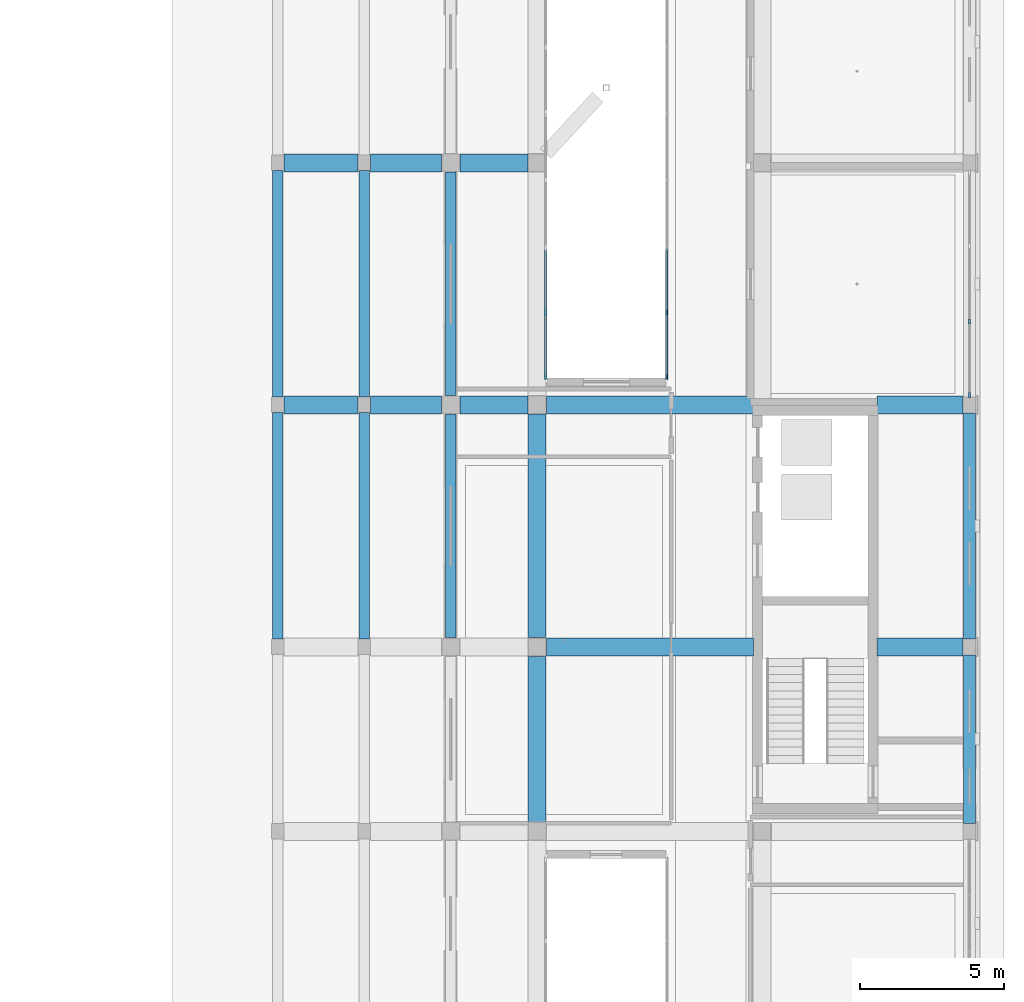
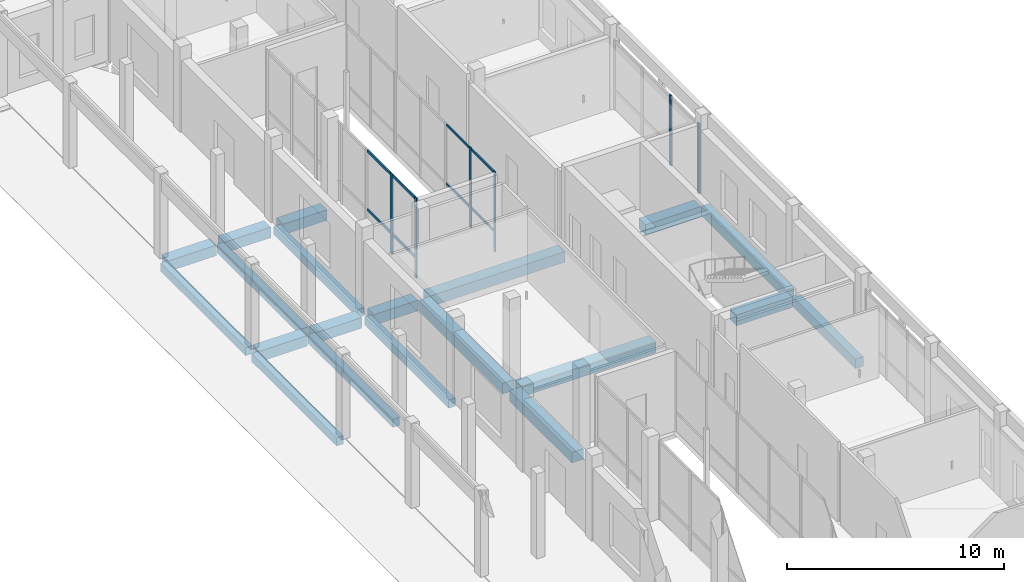
# One storey, part 35 of 88: 20 beams, 10 members, 3 elements without a shape of their own.
"""IFC4 building model written with IfcOpenShell, lengths in metres."""

from ifc_helpers import new_model, si_unit, derived_unit, direction, frame, origin, origin_2d, place, context, subcontext, project, spatial, rectangle, extrude, material, material_profile, profile_set, type_object, element, aggregate, save


model = new_model("IFC4")

# Units and contexts
model_context = context("Model", 3, precision=1e-05, world=origin(), true_north=direction((0.0, 1.0)))
body_context = subcontext(model_context, "Body", "Model", "MODEL_VIEW")
ifc_project = project(units=[si_unit("LENGTHUNIT", "METRE"), si_unit("AREAUNIT", "SQUARE_METRE"), si_unit("VOLUMEUNIT", "CUBIC_METRE"), si_unit("PLANEANGLEUNIT", "RADIAN"), si_unit("MASSUNIT", "GRAM", prefix="KILO"), derived_unit("THERMALTRANSMITTANCEUNIT", [(si_unit("POWERUNIT", "WATT"), 1), (si_unit("LENGTHUNIT", "METRE"), -2), (si_unit("THERMODYNAMICTEMPERATUREUNIT", "KELVIN"), -1)])], contexts=[model_context])

# Site, building, storey
site_placement = place(None, origin())
site = spatial("IfcSite", under=ifc_project, at=site_placement, CompositionType="ELEMENT")
building_placement = place(site_placement, origin())
building = spatial("IfcBuilding", under=site, at=building_placement, Name="Braskholm Square Health Centre", CompositionType="ELEMENT")
storey_placement = place(building_placement, origin())
storey = spatial("IfcBuildingStorey", under=building, at=storey_placement, Name="L01", CompositionType="ELEMENT", Elevation=0.0)

# Curtain wall, members
ifc_material_1 = material(Name="Low-E triple insulating glass (VLT 0.64)", Category="glass")
curtain_wall_type_1 = type_object("IfcCurtainWallType", Name="UnitisedCurtainWall4800x4400", PredefinedType="NOTDEFINED", material=ifc_material_1)
curtain_wall_1_placement = place(storey_placement, origin())
curtain_wall_1 = element("IfcCurtainWall", 1, at=curtain_wall_1_placement, inside=storey, type_object=curtain_wall_type_1, Name="EC2 Court E unitised curtain wall CW-L01-0352", PredefinedType="NOTDEFINED")
ifc_material_2 = material(Name="Architectural bronze anodised aluminium", Category="aluminium")
ifc_material_profile_1 = material_profile(ifc_material_2, rectangle(XDim=0.06494140625, YDim=0.14990234375, at=origin_2d()), Name="ALU-65X150")
ifc_profile_set_1 = profile_set([ifc_material_profile_1], Name="Architectural bronze anodised aluminium")
member_type_1 = type_object("IfcMemberType", Name="CurtainWallMullion65x150", PredefinedType="MULLION", material=ifc_profile_set_1)
member_1_placement = place(storey_placement, frame((153.300048828125, 67.0009765625, 0.0), z_axis=(0.0, 0.0, 1.0), x_axis=(1.0, 0.0, 0.0)))
member_1 = element("IfcMember", 2, at=member_1_placement, type_object=member_type_1, Name="CW-L01-0352 vertical mullion 2", PredefinedType="MULLION", context=body_context, shape_type="SweptSolid", body=[
    extrude(rectangle(XDim=0.06494140625, YDim=0.14990234375, at=origin_2d()), origin(), (0.0, 0.0, 1.0), 4.5),
])
member_2_placement = place(storey_placement, frame((153.300048828125, 64.76708984375, 0.0), z_axis=(0.0, 0.0, 1.0), x_axis=(1.0, 0.0, 0.0)))
member_2 = element("IfcMember", 3, at=member_2_placement, type_object=member_type_1, Name="CW-L01-0352 vertical mullion 3", PredefinedType="MULLION", context=body_context, shape_type="SweptSolid", body=[
    extrude(rectangle(XDim=0.06494140625, YDim=0.14990234375, at=origin_2d()), origin(), (0.0, 0.0, 1.0), 4.5),
])

curtain_wall_type_2 = type_object("IfcCurtainWallType", Name="UnitisedCurtainWall6200x4100", PredefinedType="NOTDEFINED", material=ifc_material_1)
curtain_wall_2_placement = place(storey_placement, origin())
curtain_wall_2 = element("IfcCurtainWall", 4, at=curtain_wall_2_placement, inside=storey, type_object=curtain_wall_type_2, Name="East Storefront unitised curtain wall CW-L01-0049", PredefinedType="NOTDEFINED")
ifc_material_profile_2 = material_profile(ifc_material_2, rectangle(XDim=0.074951171875, YDim=0.179931640625, at=origin_2d()), Name="ALU-75X180")
ifc_profile_set_2 = profile_set([ifc_material_profile_2], Name="Architectural bronze anodised aluminium")
member_type_2 = type_object("IfcMemberType", Name="CurtainWallMullion75x180", PredefinedType="MULLION", material=ifc_profile_set_2)
member_3_placement = place(storey_placement, frame((163.800048828125, 64.136962890625, 0.0), z_axis=(0.0, 0.0, 1.0), x_axis=(1.0, 0.0, 0.0)))
member_3 = element("IfcMember", 5, at=member_3_placement, type_object=member_type_2, Name="CW-L01-0049 vertical mullion 1", PredefinedType="MULLION", context=body_context, shape_type="SweptSolid", body=[
    extrude(rectangle(XDim=0.074951171875, YDim=0.179931640625, at=origin_2d()), origin(), (0.0, 0.0, 1.0), 3.949951171875),
])
member_4_placement = place(storey_placement, frame((163.800048828125, 66.69677734375, 0.0), z_axis=(0.0, 0.0, 1.0), x_axis=(1.0, 0.0, 0.0)))
member_4 = element("IfcMember", 6, at=member_4_placement, type_object=member_type_2, Name="CW-L01-0049 vertical mullion 2", PredefinedType="MULLION", context=body_context, shape_type="SweptSolid", body=[
    extrude(rectangle(XDim=0.074951171875, YDim=0.179931640625, at=origin_2d()), origin(), (0.0, 0.0, 1.0), 3.949951171875),
])
aggregate(curtain_wall_2, [member_3, member_4])

curtain_wall_3_placement = place(storey_placement, origin())
curtain_wall_3 = element("IfcCurtainWall", 7, at=curtain_wall_3_placement, inside=storey, type_object=curtain_wall_type_1, Name="EC2 Court W unitised curtain wall CW-L01-0351", PredefinedType="NOTDEFINED")
member_5_placement = place(storey_placement, frame((149.10009765625, 64.76708984375, 0.0), z_axis=(0.0, 0.0, 1.0), x_axis=(1.0, 0.0, 0.0)))
member_5 = element("IfcMember", 8, at=member_5_placement, type_object=member_type_2, Name="CW-L01-0351 vertical mullion 1", PredefinedType="MULLION", context=body_context, shape_type="SweptSolid", body=[
    extrude(rectangle(XDim=0.074951171875, YDim=0.179931640625, at=origin_2d()), origin(), (0.0, 0.0, 1.0), 4.5),
])
member_6_placement = place(storey_placement, frame((149.10009765625, 67.0009765625, 0.0), z_axis=(0.0, 0.0, 1.0), x_axis=(1.0, 0.0, 0.0)))
member_6 = element("IfcMember", 9, at=member_6_placement, type_object=member_type_2, Name="CW-L01-0351 vertical mullion 2", PredefinedType="MULLION", context=body_context, shape_type="SweptSolid", body=[
    extrude(rectangle(XDim=0.074951171875, YDim=0.179931640625, at=origin_2d()), origin(), (0.0, 0.0, 1.0), 4.5),
])

# Member
ifc_material_profile_3 = material_profile(ifc_material_2, rectangle(XDim=0.06494140625, YDim=0.1201171875, at=origin_2d()), Name="ALU-65X120")
ifc_profile_set_3 = profile_set([ifc_material_profile_3], Name="Architectural bronze anodised aluminium")
member_type_3 = type_object("IfcMemberType", Name="CurtainWallTransom65x120", PredefinedType="USERDEFINED", material=ifc_profile_set_3)
member_7_placement = place(storey_placement, frame((153.300048828125, 69.217041015625, 1.1201171875), z_axis=(0.0, -1.0, 0.0), x_axis=(1.0, 0.0, 0.0)))
member_7 = element("IfcMember", 10, at=member_7_placement, type_object=member_type_3, Name="CW-L01-0352 horizontal transom 1", ObjectType="TRANSOM", PredefinedType="USERDEFINED", context=body_context, shape_type="SweptSolid", body=[
    extrude(rectangle(XDim=0.06494140625, YDim=0.1201171875, at=origin_2d()), origin(), (0.0, 0.0, 1.0), 4.43212890625),
])

member_8_placement = place(storey_placement, frame((153.300048828125, 69.217041015625, 4.429931640625), z_axis=(0.0, -1.0, 0.0), x_axis=(1.0, 0.0, 0.0)))
member_8 = element("IfcMember", 11, at=member_8_placement, type_object=member_type_3, Name="CW-L01-0352 horizontal transom 2", ObjectType="TRANSOM", PredefinedType="USERDEFINED", context=body_context, shape_type="SweptSolid", body=[
    extrude(rectangle(XDim=0.06494140625, YDim=0.1201171875, at=origin_2d()), origin(), (0.0, 0.0, 1.0), 4.43212890625),
])

aggregate(curtain_wall_1, [member_1, member_2, member_7, member_8])

ifc_material_profile_4 = material_profile(ifc_material_2, rectangle(XDim=0.074951171875, YDim=0.139892578125, at=origin_2d()), Name="ALU-75X140")
ifc_profile_set_4 = profile_set([ifc_material_profile_4], Name="Architectural bronze anodised aluminium")
member_type_4 = type_object("IfcMemberType", Name="CurtainWallTransom75x140", PredefinedType="USERDEFINED", material=ifc_profile_set_4)
member_9_placement = place(storey_placement, frame((149.10009765625, 64.784912109375, 1.1201171875), z_axis=(0.0, 1.0, 0.0), x_axis=(-1.0, 0.0, 0.0)))
member_9 = element("IfcMember", 12, at=member_9_placement, type_object=member_type_4, Name="CW-L01-0351 horizontal transom 1", ObjectType="TRANSOM", PredefinedType="USERDEFINED", context=body_context, shape_type="SweptSolid", body=[
    extrude(rectangle(XDim=0.074951171875, YDim=0.139892578125, at=origin_2d()), origin(), (0.0, 0.0, 1.0), 4.43212890625),
])

member_10_placement = place(storey_placement, frame((149.10009765625, 64.784912109375, 4.429931640625), z_axis=(0.0, 1.0, 0.0), x_axis=(-1.0, 0.0, 0.0)))
member_10 = element("IfcMember", 13, at=member_10_placement, type_object=member_type_4, Name="CW-L01-0351 horizontal transom 2", ObjectType="TRANSOM", PredefinedType="USERDEFINED", context=body_context, shape_type="SweptSolid", body=[
    extrude(rectangle(XDim=0.074951171875, YDim=0.139892578125, at=origin_2d()), origin(), (0.0, 0.0, 1.0), 4.43212890625),
])

aggregate(curtain_wall_3, [member_5, member_6, member_9, member_10])

# Beams
ifc_material_3 = material(Name="Concrete C40/50 (f'c = 40 MPa)", Category="concrete")
ifc_material_profile_5 = material_profile(ifc_material_3, rectangle(XDim=0.6201171875, YDim=0.60009765625, at=origin_2d()), Name="RCB-620X600")
ifc_profile_set_5 = profile_set([ifc_material_profile_5], Name="Concrete C40/50 (f'c = 40 MPa)")
beam_type_1 = type_object("IfcBeamType", Name="PrimarySubstructureBeam620x600", PredefinedType="BEAM", material=ifc_profile_set_5)
beam_1_placement = place(storey_placement, frame((148.800048828125, 49.324951171875, -0.60009765625), z_axis=(0.0, 1.0, 0.0), x_axis=(-1.0, 0.0, 0.0)))
element("IfcBeam", 14, at=beam_1_placement, inside=storey, type_object=beam_type_1, Name="Beam 20/H-J L01", PredefinedType="BEAM", context=body_context, shape_type="SweptSolid", body=[
    extrude(rectangle(XDim=0.6201171875, YDim=0.60009765625, at=origin_2d()), origin(), (0.0, 0.0, 1.0), 5.75),
])
beam_2_placement = place(storey_placement, frame((148.800048828125, 55.72509765625, -0.60009765625), z_axis=(0.0, 1.0, 0.0), x_axis=(-1.0, 0.0, 0.0)))
element("IfcBeam", 15, at=beam_2_placement, inside=storey, type_object=beam_type_1, Name="Beam 20/J-K L01", PredefinedType="BEAM", context=body_context, shape_type="SweptSolid", body=[
    extrude(rectangle(XDim=0.6201171875, YDim=0.60009765625, at=origin_2d()), origin(), (0.0, 0.0, 1.0), 7.75),
])
beam_3_placement = place(storey_placement, frame((149.125, 55.39990234375, -0.60009765625), z_axis=(1.0, 0.0, 0.0), x_axis=(0.0, 1.0, 0.0)))
element("IfcBeam", 16, at=beam_3_placement, inside=storey, type_object=beam_type_1, Name="Beam 20-22/J L01", PredefinedType="BEAM", context=body_context, shape_type="SweptSolid", body=[
    extrude(rectangle(XDim=0.6201171875, YDim=0.60009765625, at=origin_2d()), origin(), (0.0, 0.0, 1.0), 7.175048828125),
])
beam_4_placement = place(storey_placement, frame((160.60009765625, 55.39990234375, -0.60009765625), z_axis=(1.0, 0.0, 0.0), x_axis=(0.0, 1.0, 0.0)))
element("IfcBeam", 17, at=beam_4_placement, inside=storey, type_object=beam_type_1, Name="Beam 20-22/J L01", PredefinedType="BEAM", context=body_context, shape_type="SweptSolid", body=[
    extrude(rectangle(XDim=0.6201171875, YDim=0.60009765625, at=origin_2d()), origin(), (0.0, 0.0, 1.0), 2.969970703125),
])
beam_5_placement = place(storey_placement, frame((140.02001953125, 63.800048828125, -0.52490234375), z_axis=(1.0, 0.0, 0.0), x_axis=(0.0, 1.0, 0.0)))
element("IfcBeam", 18, at=beam_5_placement, inside=storey, type_object=beam_type_1, Name="Beam 17-18/K L01", PredefinedType="BEAM", context=body_context, shape_type="SweptSolid", body=[
    extrude(rectangle(XDim=0.6201171875, YDim=0.60009765625, at=origin_2d()), origin(), (0.0, 0.0, 1.0), 2.56005859375),
])
beam_6_placement = place(storey_placement, frame((143.02001953125, 63.800048828125, -0.52490234375), z_axis=(1.0, 0.0, 0.0), x_axis=(0.0, 1.0, 0.0)))
element("IfcBeam", 19, at=beam_6_placement, inside=storey, type_object=beam_type_1, Name="Beam 18-19/K L01", PredefinedType="BEAM", context=body_context, shape_type="SweptSolid", body=[
    extrude(rectangle(XDim=0.6201171875, YDim=0.60009765625, at=origin_2d()), origin(), (0.0, 0.0, 1.0), 2.455078125),
])
beam_7_placement = place(storey_placement, frame((146.125, 63.800048828125, -0.60009765625), z_axis=(1.0, 0.0, 0.0), x_axis=(0.0, 1.0, 0.0)))
element("IfcBeam", 20, at=beam_7_placement, inside=storey, type_object=beam_type_1, Name="Beam 19-20/K L01", PredefinedType="BEAM", context=body_context, shape_type="SweptSolid", body=[
    extrude(rectangle(XDim=0.6201171875, YDim=0.60009765625, at=origin_2d()), origin(), (0.0, 0.0, 1.0), 2.35009765625),
])
beam_8_placement = place(storey_placement, frame((149.125, 63.800048828125, -0.60009765625), z_axis=(1.0, 0.0, 0.0), x_axis=(0.0, 1.0, 0.0)))
element("IfcBeam", 21, at=beam_8_placement, inside=storey, type_object=beam_type_1, Name="Beam 20-22/K L01", PredefinedType="BEAM", context=body_context, shape_type="SweptSolid", body=[
    extrude(rectangle(XDim=0.6201171875, YDim=0.60009765625, at=origin_2d()), origin(), (0.0, 0.0, 1.0), 7.175048828125),
])
beam_9_placement = place(storey_placement, frame((160.60009765625, 63.800048828125, -0.60009765625), z_axis=(1.0, 0.0, 0.0), x_axis=(0.0, 1.0, 0.0)))
element("IfcBeam", 22, at=beam_9_placement, inside=storey, type_object=beam_type_1, Name="Beam 20-22/K L01", PredefinedType="BEAM", context=body_context, shape_type="SweptSolid", body=[
    extrude(rectangle(XDim=0.6201171875, YDim=0.60009765625, at=origin_2d()), origin(), (0.0, 0.0, 1.0), 2.969970703125),
])
beam_10_placement = place(storey_placement, frame((140.02001953125, 72.199951171875, -0.52490234375), z_axis=(1.0, 0.0, 0.0), x_axis=(0.0, 1.0, 0.0)))
element("IfcBeam", 23, at=beam_10_placement, inside=storey, type_object=beam_type_1, Name="Beam 17-18/L L01", PredefinedType="BEAM", context=body_context, shape_type="SweptSolid", body=[
    extrude(rectangle(XDim=0.6201171875, YDim=0.60009765625, at=origin_2d()), origin(), (0.0, 0.0, 1.0), 2.56005859375),
])
beam_11_placement = place(storey_placement, frame((143.02001953125, 72.199951171875, -0.52490234375), z_axis=(1.0, 0.0, 0.0), x_axis=(0.0, 1.0, 0.0)))
element("IfcBeam", 24, at=beam_11_placement, inside=storey, type_object=beam_type_1, Name="Beam 18-19/L L01", PredefinedType="BEAM", context=body_context, shape_type="SweptSolid", body=[
    extrude(rectangle(XDim=0.6201171875, YDim=0.60009765625, at=origin_2d()), origin(), (0.0, 0.0, 1.0), 2.455078125),
])
beam_12_placement = place(storey_placement, frame((146.125, 72.199951171875, -0.60009765625), z_axis=(1.0, 0.0, 0.0), x_axis=(0.0, 1.0, 0.0)))
element("IfcBeam", 25, at=beam_12_placement, inside=storey, type_object=beam_type_1, Name="Beam 19-20/L L01", PredefinedType="BEAM", context=body_context, shape_type="SweptSolid", body=[
    extrude(rectangle(XDim=0.6201171875, YDim=0.60009765625, at=origin_2d()), origin(), (0.0, 0.0, 1.0), 2.35009765625),
])
ifc_material_4 = material(Name="Precast concrete C40/50 architectural white", Category="concrete")
ifc_material_profile_6 = material_profile(ifc_material_4, rectangle(XDim=0.419921875, YDim=0.550048828125, at=origin_2d()), Name="RCB-420X550")
ifc_profile_set_6 = profile_set([ifc_material_profile_6], Name="Precast concrete C40/50 architectural white")
beam_type_2 = type_object("IfcBeamType", Name="SpandrelPrecastLedge420x550", PredefinedType="SPANDREL", material=ifc_profile_set_6)
beam_13_placement = place(storey_placement, frame((163.800048828125, 49.280029296875, -0.574951171875), z_axis=(0.0, 1.0, 0.0), x_axis=(-1.0, 0.0, 0.0)))
element("IfcBeam", 26, at=beam_13_placement, inside=storey, type_object=beam_type_2, Name="Beam 22/H-J L01", PredefinedType="SPANDREL", context=body_context, shape_type="SweptSolid", body=[
    extrude(rectangle(XDim=0.419921875, YDim=0.550048828125, at=origin_2d()), origin(), (0.0, 0.0, 1.0), 5.840087890625),
])
beam_14_placement = place(storey_placement, frame((163.800048828125, 55.679931640625, -0.574951171875), z_axis=(0.0, 1.0, 0.0), x_axis=(-1.0, 0.0, 0.0)))
element("IfcBeam", 27, at=beam_14_placement, inside=storey, type_object=beam_type_2, Name="Beam 22/J-K L01", PredefinedType="SPANDREL", context=body_context, shape_type="SweptSolid", body=[
    extrude(rectangle(XDim=0.419921875, YDim=0.550048828125, at=origin_2d()), origin(), (0.0, 0.0, 1.0), 7.840087890625),
])
ifc_material_profile_7 = material_profile(ifc_material_4, rectangle(XDim=0.360107421875, YDim=0.4599609375, at=origin_2d()), Name="RCB-360X460")
ifc_profile_set_7 = profile_set([ifc_material_profile_7], Name="Precast concrete C40/50 architectural white")
beam_type_3 = type_object("IfcBeamType", Name="SpandrelTerraceEdge360x460", PredefinedType="SPANDREL", material=ifc_profile_set_7)
beam_15_placement = place(storey_placement, frame((139.800048828125, 55.669921875, -0.455078125), z_axis=(0.0, 1.0, 0.0), x_axis=(-1.0, 0.0, 0.0)))
element("IfcBeam", 28, at=beam_15_placement, inside=storey, type_object=beam_type_3, Name="Beam 17/J-K L01", PredefinedType="SPANDREL", context=body_context, shape_type="SweptSolid", body=[
    extrude(rectangle(XDim=0.360107421875, YDim=0.4599609375, at=origin_2d()), origin(), (0.0, 0.0, 1.0), 7.860107421875),
])
beam_16_placement = place(storey_placement, frame((139.800048828125, 64.070068359375, -0.455078125), z_axis=(0.0, 1.0, 0.0), x_axis=(-1.0, 0.0, 0.0)))
element("IfcBeam", 29, at=beam_16_placement, inside=storey, type_object=beam_type_3, Name="Beam 17/K-L L01", PredefinedType="SPANDREL", context=body_context, shape_type="SweptSolid", body=[
    extrude(rectangle(XDim=0.360107421875, YDim=0.4599609375, at=origin_2d()), origin(), (0.0, 0.0, 1.0), 7.85986328125),
])
beam_17_placement = place(storey_placement, frame((142.800048828125, 55.669921875, -0.455078125), z_axis=(0.0, 1.0, 0.0), x_axis=(-1.0, 0.0, 0.0)))
element("IfcBeam", 30, at=beam_17_placement, inside=storey, type_object=beam_type_3, Name="Beam 18/J-K L01", PredefinedType="SPANDREL", context=body_context, shape_type="SweptSolid", body=[
    extrude(rectangle(XDim=0.360107421875, YDim=0.4599609375, at=origin_2d()), origin(), (0.0, 0.0, 1.0), 7.860107421875),
])
beam_18_placement = place(storey_placement, frame((142.800048828125, 64.070068359375, -0.455078125), z_axis=(0.0, 1.0, 0.0), x_axis=(-1.0, 0.0, 0.0)))
element("IfcBeam", 31, at=beam_18_placement, inside=storey, type_object=beam_type_3, Name="Beam 18/K-L L01", PredefinedType="SPANDREL", context=body_context, shape_type="SweptSolid", body=[
    extrude(rectangle(XDim=0.360107421875, YDim=0.4599609375, at=origin_2d()), origin(), (0.0, 0.0, 1.0), 7.85986328125),
])
for number, where, z_axis, x_axis, name in (
    (32, (145.800048828125, 55.72509765625, -0.455078125), (0.0, 1.0, 0.0), (-1.0, 0.0, 0.0), "Beam 19/J-K L01"),
    (33, (145.800048828125, 64.125, -0.455078125), (0.0, 1.0, 0.0), (-1.0, 0.0, 0.0), "Beam 19/K-L L01"),
):
    element("IfcBeam", number, at=place(storey_placement, frame(where, z_axis=z_axis, x_axis=x_axis)), inside=storey, type_object=beam_type_3, Name=name, PredefinedType="SPANDREL", context=body_context, shape_type="SweptSolid", body=[
        extrude(rectangle(XDim=0.360107421875, YDim=0.4599609375, at=origin_2d()), origin(), (0.0, 0.0, 1.0), 7.75),
    ])

save(model, "model.ifc")
